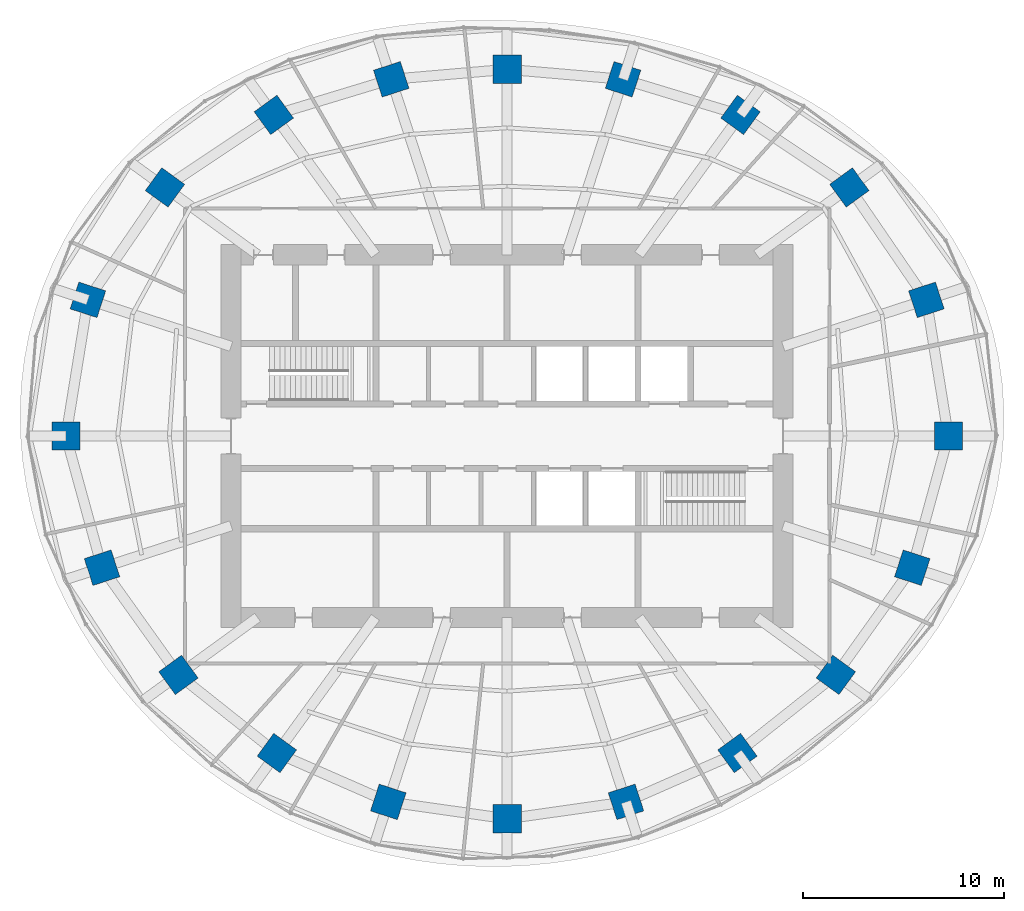
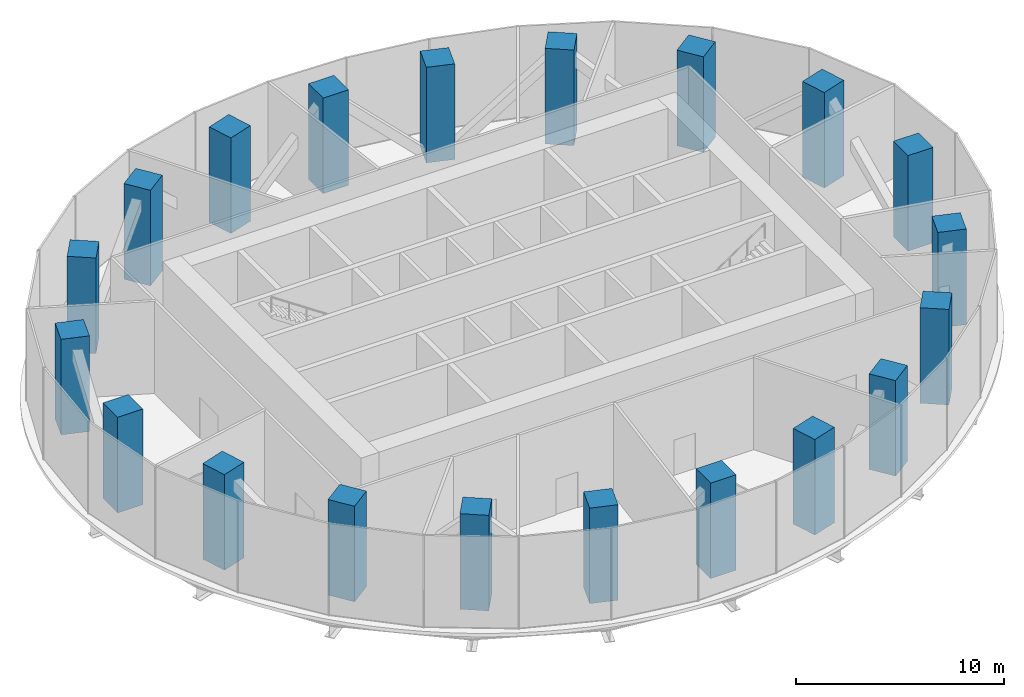
# One storey, part 1 of 13: 20 columns.
"""IFC4 building model written with IfcOpenShell, lengths in metres."""

from ifc_helpers import new_model, si_unit, direction, frame, origin, origin_2d, place, context, subcontext, project, spatial, rectangle, extrude, material, material_profile, profile_set, type_object, element, save


model = new_model("IFC4")

# Units and contexts
model_context = context("Model", 3, precision=1e-05, world=origin(), true_north=direction((0.0, 1.0)))
body_context = subcontext(model_context, "Body", "Model", "MODEL_VIEW")
ifc_project = project(units=[si_unit("LENGTHUNIT", "METRE"), si_unit("AREAUNIT", "SQUARE_METRE"), si_unit("VOLUMEUNIT", "CUBIC_METRE"), si_unit("PLANEANGLEUNIT", "RADIAN"), si_unit("MASSUNIT", "GRAM", prefix="KILO")], contexts=[model_context])

# Site, building, storey
site_placement = place(None, origin())
site = spatial("IfcSite", under=ifc_project, at=site_placement, CompositionType="ELEMENT")
building_placement = place(site_placement, origin())
building = spatial("IfcBuilding", under=site, at=building_placement, Name="Marramba Exchange Tower", CompositionType="ELEMENT")
storey_placement = place(building_placement, frame((0.0, 0.0, 246.199951171875)))
storey = spatial("IfcBuildingStorey", under=building, at=storey_placement, Name="L60", CompositionType="ELEMENT", Elevation=246.199951171875)

# Columns
ifc_material = material(Name="Concrete N50", Category="concrete")
ifc_material_profile = material_profile(ifc_material, rectangle(XDim=1.39990234375, YDim=1.39990234375, at=origin_2d()), Name="RC 1400x1400")
ifc_profile_set = profile_set([ifc_material_profile], Name="Concrete N50")
column_type = type_object("IfcColumnType", Name="Perimeter column RC 1400x1400 N50", PredefinedType="COLUMN", material=ifc_profile_set)
for number, where, z_axis, x_axis, name in (
    (1, (21.89990234375, 0.0, 0.0), (0.0, 0.0, 1.0), (1.0, 0.0, 0.0), "Column TC01 L60"),
    (2, (20.808349609375, 6.760986328125, 0.0), (0.0, 0.0, 1.0), (0.951056516295, 0.309016994375, 0.0), "Column TC02 L60"),
    (3, (16.98583984375, 12.3408203125, 0.0), (0.0, 0.0, 1.0), (0.809016994375, 0.587785252292, 0.0), "Column TC03 L60"),
    (4, (11.581298828125, 15.9404296875, 0.0), (0.0, 0.0, 1.0), (0.587785252292, 0.809016994375, 0.0), "Column TC04 L60"),
    (5, (5.75390625, 17.70849609375, 0.0), (0.0, 0.0, 1.0), (0.309016994375, 0.951056516295, 0.0), "Column TC05 L60"),
    (6, (0.0, 18.2041015625, 0.0), (0.0, 0.0, 1.0), (0.0, 1.0, 0.0), "Column TC06 L60"),
    (7, (-5.75390625, 17.70849609375, 0.0), (0.0, 0.0, 1.0), (-0.309016994375, 0.951056516295, 0.0), "Column TC07 L60"),
    (8, (-11.581298828125, 15.9404296875, 0.0), (0.0, 0.0, 1.0), (-0.587785252292, 0.809016994375, 0.0), "Column TC08 L60"),
    (9, (-16.98583984375, 12.3408203125, 0.0), (0.0, 0.0, 1.0), (-0.809016994375, 0.587785252292, 0.0), "Column TC09 L60"),
    (10, (-20.808349609375, 6.760986328125, 0.0), (0.0, 0.0, 1.0), (-0.951056516295, 0.309016994375, 0.0), "Column TC10 L60"),
    (11, (-21.89990234375, 0.0, 0.0), (0.0, 0.0, 1.0), (-1.0, 0.0, 0.0), "Column TC11 L60"),
    (12, (-20.109375, -6.533935546875, 0.0), (0.0, 0.0, 1.0), (-0.951056516295, -0.309016994375, 0.0), "Column TC12 L60"),
    (13, (-16.3154296875, -11.853759765625, 0.0), (0.0, 0.0, 1.0), (-0.809016994375, -0.587785252292, 0.0), "Column TC13 L60"),
    (14, (-11.430419921875, -15.732666015625, 0.0), (0.0, 0.0, 1.0), (-0.587785252292, -0.809016994375, 0.0), "Column TC14 L60"),
    (15, (-5.899658203125, -18.156982421875, 0.0), (0.0, 0.0, 1.0), (-0.309016994375, -0.951056516295, 0.0), "Column TC15 L60"),
    (16, (0.0, -18.99609375, 0.0), (0.0, 0.0, 1.0), (0.0, -1.0, 0.0), "Column TC16 L60"),
    (17, (5.899658203125, -18.156982421875, 0.0), (0.0, 0.0, 1.0), (0.309016994375, -0.951056516295, 0.0), "Column TC17 L60"),
    (18, (11.430419921875, -15.732666015625, 0.0), (0.0, 0.0, 1.0), (0.587785252292, -0.809016994375, 0.0), "Column TC18 L60"),
    (19, (16.3154296875, -11.853759765625, 0.0), (0.0, 0.0, 1.0), (0.809016994375, -0.587785252292, 0.0), "Column TC19 L60"),
    (20, (20.109375, -6.533935546875, 0.0), (0.0, 0.0, 1.0), (0.951056516295, -0.309016994375, 0.0), "Column TC20 L60"),
):
    element("IfcColumn", number, at=place(storey_placement, frame(where, z_axis=z_axis, x_axis=x_axis)), inside=storey, type_object=column_type, Name=name, PredefinedType="COLUMN", context=body_context, shape_type="SweptSolid", body=[
        extrude(rectangle(XDim=1.39990234375, YDim=1.39990234375, at=origin_2d()), origin(), (0.0, 0.0, 1.0), 5.60009765625),
    ])

save(model, "model.ifc")
